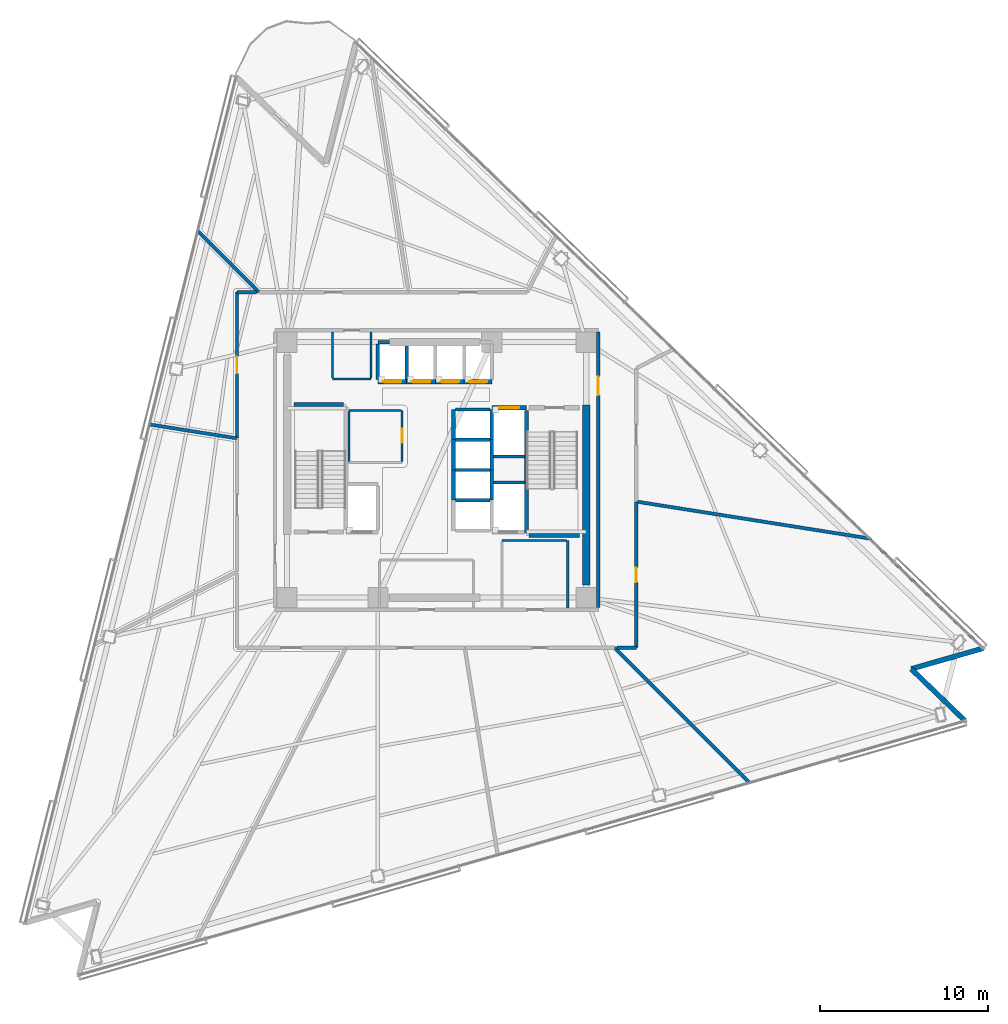
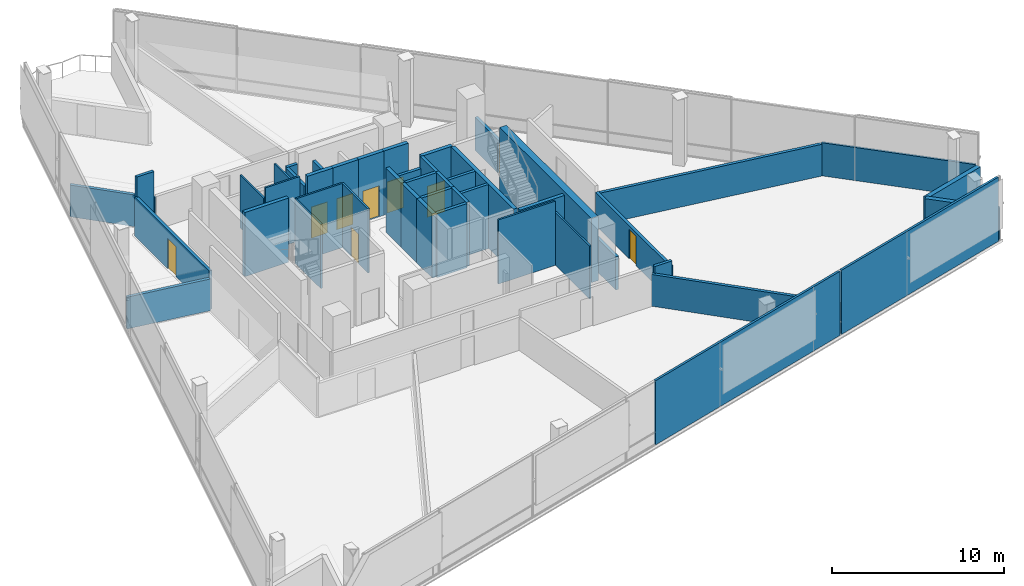
# One storey, part 10 of 18: 46 walls, 9 doors, 9 openings.
"""IFC4 building model written with IfcOpenShell, lengths in metres."""

from ifc_helpers import new_model, si_unit, direction, frame, frame_2d, origin, place, context, subcontext, project, spatial, rectangle, extrude, material, layer, layer_set, type_object, element, fill, save


model = new_model("IFC4")

# Units and contexts
model_context = context("Model", 3, precision=1e-05, world=origin(), true_north=direction((0.0, 1.0)))
body_context = subcontext(model_context, "Body", "Model", "MODEL_VIEW")
ifc_project = project(units=[si_unit("LENGTHUNIT", "METRE"), si_unit("AREAUNIT", "SQUARE_METRE"), si_unit("VOLUMEUNIT", "CUBIC_METRE"), si_unit("PLANEANGLEUNIT", "RADIAN"), si_unit("MASSUNIT", "GRAM", prefix="KILO")], contexts=[model_context])

# Site, building, storey
site_placement = place(None, origin())
site = spatial("IfcSite", under=ifc_project, at=site_placement, CompositionType="ELEMENT")
building_placement = place(site_placement, origin())
building = spatial("IfcBuilding", under=site, at=building_placement, Name="Tharavind Bronze Gate", CompositionType="ELEMENT")
storey_placement = place(building_placement, frame((0.0, 0.0, 107.699951171875)))
storey = spatial("IfcBuildingStorey", under=building, at=storey_placement, Name="L27", CompositionType="ELEMENT", Elevation=107.699951171875)

# Walls
ifc_material_1 = material(Name="Concrete C40/50", Category="concrete")
ifc_layer_1 = layer(ifc_material_1, 0.300048828125)
ifc_layer_set_1 = layer_set([ifc_layer_1], Name="Concrete C40/50")
wall_type_1 = type_object("IfcWallType", Name="EXTERIOR SPANDREL WALL 300", PredefinedType="STANDARD", material=ifc_layer_set_1)
wall_1_placement = place(storey_placement, frame((31.438720703125, -14.926513671875, 0.0), z_axis=(0.0, 0.0, 1.0), x_axis=(-0.719317126864, 0.694681848763, 0.0)))
element("IfcWall", 1, at=wall_1_placement, inside=storey, type_object=wall_type_1, Name="L27 notch cheek wall 3A", PredefinedType="STANDARD", context=body_context, shape_type="SweptSolid", body=[
    extrude(rectangle(XDim=4.439697265625, YDim=0.300048828125, at=frame_2d((2.2197265625, 0.0))), origin(), (0.0, 0.0, 1.0), 2.255126953125),
])
wall_2_placement = place(storey_placement, frame((28.2451171875, -11.84228515625, 0.0), z_axis=(0.0, 0.0, 1.0), x_axis=(0.961255810825, 0.275657878821, 0.0)))
element("IfcWall", 2, at=wall_2_placement, inside=storey, type_object=wall_type_1, Name="L27 notch cheek wall 3B", PredefinedType="STANDARD", context=body_context, shape_type="SweptSolid", body=[
    extrude(rectangle(XDim=4.43994140625, YDim=0.300048828125, at=frame_2d((2.219970703125, 0.0))), origin(), (0.0, 0.0, 1.0), 2.255126953125),
])

# Wall, opening, door
ifc_material_2 = material(Name="Aerated Concrete Block", Category="concrete")
ifc_layer_2 = layer(ifc_material_2, 0.199951171875)
ifc_layer_set_2 = layer_set([ifc_layer_2], Name="Aerated Concrete Block")
wall_type_2 = type_object("IfcWallType", Name="FIRE RATED PARTITION 200", PredefinedType="PARTITIONING", material=ifc_layer_set_2)
wall_3_placement = place(storey_placement, frame((9.6201171875, -8.199951171875, 0.0), z_axis=(0.0, 0.0, 1.0), x_axis=(0.0, 1.0, 0.0)))
wall_3 = element("IfcWall", 3, at=wall_3_placement, inside=storey, type_object=wall_type_2, Name="L27 east core corridor wall", PredefinedType="PARTITIONING", context=body_context, shape_type="SweptSolid", body=[
    extrude(rectangle(XDim=16.39990234375, YDim=0.199951171875, at=frame_2d((8.199951171875, 0.0))), origin(), (0.0, 0.0, 1.0), 2.35498046875),
])
opening_1_placement = place(wall_3_placement, frame((12.64990234375, 0.0, 0.0)))
opening_1 = element("IfcOpeningElement", 4, at=opening_1_placement, cuts=wall_3, Name="Opening ID01", PredefinedType="OPENING", context=body_context, shape_type="SweptSolid", body=[
    extrude(rectangle(XDim=1.10009765625, YDim=2.14990234375, at=frame_2d((0.550048828125, 1.074951171875))), frame((0.0, 0.11009765625, 0.0), z_axis=(0.0, -1.0, 0.0), x_axis=(1.0, 0.0, 0.0)), (0.0, 0.0, 1.0), 0.219951171875),
])
ifc_material_3 = material(Name="Fire-Rated Steel", Category="steel")
door_type_1 = type_object("IfcDoorType", Name="STAIR CORE FIRE DOOR 1100X2150", OperationType="SINGLE_SWING_LEFT", PredefinedType="DOOR", material=ifc_material_3)
door_1_placement = place(opening_1_placement, frame((1.10009765625, 0.0, 0.0), z_axis=(0.0, 0.0, 1.0), x_axis=(-1.0, 0.0, 0.0)))
door_1 = element("IfcDoor", 5, at=door_1_placement, inside=storey, type_object=door_type_1, Name="L27 north east stair lobby fire door", OperationType="SINGLE_SWING_LEFT", OverallHeight=2.14990234375, OverallWidth=1.10009765625, PredefinedType="DOOR", context=body_context, shape_type="SweptSolid", body=[
    extrude(rectangle(XDim=1.10009765625, YDim=2.14990234375, at=frame_2d((0.550048828125, 1.074951171875))), frame((0.0, 0.02490234375, 0.0), z_axis=(0.0, -1.0, 0.0), x_axis=(1.0, 0.0, 0.0)), (0.0, 0.0, 1.0), 0.050048828125),
])
fill(opening_1, door_1)

# Wall
wall_4_placement = place(storey_placement, frame((10.58740234375, -10.58740234375, 0.0), z_axis=(0.0, 0.0, 1.0), x_axis=(0.707106781187, -0.707106781187, 0.0)))
element("IfcWall", 6, at=wall_4_placement, inside=storey, type_object=wall_type_2, Name="L27 Public Restrooms Block partition", PredefinedType="PARTITIONING", context=body_context, shape_type="SweptSolid", body=[
    extrude(rectangle(XDim=11.34033203125, YDim=0.199951171875, at=frame_2d((5.670166015625, 0.0))), origin(), (0.0, 0.0, 1.0), 2.255126953125),
])

# Wall, opening, door
wall_5_placement = place(storey_placement, frame((11.8798828125, -10.579345703125, 0.0), z_axis=(0.0, 0.0, 1.0), x_axis=(0.0, 1.0, 0.0)))
wall_5 = element("IfcWall", 7, at=wall_5_placement, inside=storey, type_object=wall_type_2, Name="L27 Public Restrooms Block partition", PredefinedType="PARTITIONING", context=body_context, shape_type="SweptSolid", body=[
    extrude(rectangle(XDim=8.66845703125, YDim=0.199951171875, at=frame_2d((4.334228515625, 0.0))), origin(), (0.0, 0.0, 1.0), 2.35498046875),
])
opening_2_placement = place(wall_5_placement, frame((3.908935546875, 0.0, 0.0)))
opening_2 = element("IfcOpeningElement", 8, at=opening_2_placement, cuts=wall_5, Name="Opening ID06", PredefinedType="OPENING", context=body_context, shape_type="SweptSolid", body=[
    extrude(rectangle(XDim=0.85009765625, YDim=2.10009765625, at=frame_2d((0.425048828125, 1.050048828125))), frame((0.0, 0.11009765625, 0.0), z_axis=(0.0, -1.0, 0.0), x_axis=(1.0, 0.0, 0.0)), (0.0, 0.0, 1.0), 0.219951171875),
])
ifc_material_4 = material(Name="Moisture-Resistant Timber", Category="wood")
door_type_2 = type_object("IfcDoorType", Name="BATHROOM PRIVACY DOOR 850X2100", OperationType="SINGLE_SWING_RIGHT", PredefinedType="DOOR", material=ifc_material_4)
door_2_placement = place(opening_2_placement, origin())
door_2 = element("IfcDoor", 9, at=door_2_placement, inside=storey, type_object=door_type_2, Name="L27 Public Restrooms Block door", OperationType="SINGLE_SWING_RIGHT", OverallHeight=2.10009765625, OverallWidth=0.85009765625, PredefinedType="DOOR", context=body_context, shape_type="SweptSolid", body=[
    extrude(rectangle(XDim=0.85009765625, YDim=2.10009765625, at=frame_2d((0.425048828125, 1.050048828125))), frame((0.0, 0.02490234375, 0.0), z_axis=(0.0, -1.0, 0.0), x_axis=(1.0, 0.0, 0.0)), (0.0, 0.0, 1.0), 0.050048828125),
])
fill(opening_2, door_2)

# Walls
wall_6_placement = place(storey_placement, frame((11.908935546875, -1.88623046875, 0.0), z_axis=(0.0, 0.0, 1.0), x_axis=(0.987688165626, -0.156435569746, 0.0)))
element("IfcWall", 10, at=wall_6_placement, inside=storey, type_object=wall_type_2, Name="L27 Public Restrooms Block partition", PredefinedType="PARTITIONING", context=body_context, shape_type="SweptSolid", body=[
    extrude(rectangle(XDim=13.994384765625, YDim=0.199951171875, at=frame_2d((6.9970703125, 0.0))), origin(), (0.0, 0.0, 1.0), 2.255126953125),
])
wall_7_placement = place(storey_placement, frame((10.728515625, -10.580078125, 0.0), z_axis=(0.0, 0.0, 1.0), x_axis=(1.0, 0.0, 0.0)))
element("IfcWall", 11, at=wall_7_placement, inside=storey, type_object=wall_type_2, Name="L27 Public Restrooms Block partition", PredefinedType="PARTITIONING", context=body_context, shape_type="SweptSolid", body=[
    extrude(rectangle(XDim=1.15087890625, YDim=0.199951171875, at=frame_2d((0.575439453125, 0.0))), origin(), (0.0, 0.0, 1.0), 2.755126953125),
])
wall_8_placement = place(storey_placement, frame((-10.58740234375, 10.58740234375, 0.0), z_axis=(0.0, 0.0, 1.0), x_axis=(-0.707106781187, 0.707106781187, 0.0)))
element("IfcWall", 12, at=wall_8_placement, inside=storey, type_object=wall_type_2, Name="L27 Quantitative Desk B partition", PredefinedType="PARTITIONING", context=body_context, shape_type="SweptSolid", body=[
    extrude(rectangle(XDim=5.12451171875, YDim=0.199951171875, at=frame_2d((2.562255859375, 0.0))), origin(), (0.0, 0.0, 1.0), 2.255126953125),
])
wall_9_placement = place(storey_placement, frame((-10.728515625, 10.580078125, 0.0), z_axis=(0.0, 0.0, 1.0), x_axis=(-1.0, 0.0, 0.0)))
element("IfcWall", 13, at=wall_9_placement, inside=storey, type_object=wall_type_2, Name="L27 Quantitative Desk C partition", PredefinedType="PARTITIONING", context=body_context, shape_type="SweptSolid", body=[
    extrude(rectangle(XDim=1.15087890625, YDim=0.199951171875, at=frame_2d((0.575439453125, 0.0))), origin(), (0.0, 0.0, 1.0), 4.195068359375),
])

# Wall, opening, door
wall_10_placement = place(storey_placement, frame((-11.8798828125, 10.579345703125, 0.0), z_axis=(0.0, 0.0, 1.0), x_axis=(0.0, -1.0, 0.0)))
wall_10 = element("IfcWall", 14, at=wall_10_placement, inside=storey, type_object=wall_type_2, Name="L27 Quantitative Desk C partition", PredefinedType="PARTITIONING", context=body_context, shape_type="SweptSolid", body=[
    extrude(rectangle(XDim=8.66845703125, YDim=0.199951171875, at=frame_2d((4.334228515625, 0.0))), origin(), (0.0, 0.0, 1.0), 2.755126953125),
])
opening_3_placement = place(wall_10_placement, frame((3.833984375, 0.0, 0.0)))
opening_3 = element("IfcOpeningElement", 15, at=opening_3_placement, cuts=wall_10, Name="Opening ID04", PredefinedType="OPENING", context=body_context, shape_type="SweptSolid", body=[
    extrude(rectangle(XDim=1.0, YDim=2.14990234375, at=frame_2d((0.5, 1.074951171875))), frame((0.0, 0.11009765625, 0.0), z_axis=(0.0, -1.0, 0.0), x_axis=(1.0, 0.0, 0.0)), (0.0, 0.0, 1.0), 0.219951171875),
])
ifc_material_5 = material(Name="Bronze Framed Acoustic Timber", Category="wood")
door_type_3 = type_object("IfcDoorType", Name="OFFICE TENANCY DOOR 1000X2150", OperationType="SINGLE_SWING_RIGHT", PredefinedType="DOOR", material=ifc_material_5)
door_3_placement = place(opening_3_placement, origin())
door_3 = element("IfcDoor", 16, at=door_3_placement, inside=storey, type_object=door_type_3, Name="L27 Quantitative Desk C door", OperationType="SINGLE_SWING_RIGHT", OverallHeight=2.14990234375, OverallWidth=1.0, PredefinedType="DOOR", context=body_context, shape_type="SweptSolid", body=[
    extrude(rectangle(XDim=1.0, YDim=2.14990234375, at=frame_2d((0.5, 1.074951171875))), frame((0.0, 0.02490234375, 0.0), z_axis=(0.0, -1.0, 0.0), x_axis=(1.0, 0.0, 0.0)), (0.0, 0.0, 1.0), 0.050048828125),
])
fill(opening_3, door_3)

# Wall
wall_11_placement = place(storey_placement, frame((-11.908935546875, 1.88623046875, 0.0), z_axis=(0.0, 0.0, 1.0), x_axis=(-0.987686625079, 0.156445295998, 0.0)))
element("IfcWall", 17, at=wall_11_placement, inside=storey, type_object=wall_type_2, Name="L27 Quantitative Desk C partition", PredefinedType="PARTITIONING", context=body_context, shape_type="SweptSolid", body=[
    extrude(rectangle(XDim=5.219970703125, YDim=0.199951171875, at=frame_2d((2.60986328125, 0.0))), origin(), (0.0, 0.0, 1.0), 2.255126953125),
])

# Wall, opening, door
ifc_material_6 = material(Name="Metal Stud Gypsum Partition", Category="gypsum")
ifc_layer_3 = layer(ifc_material_6, 0.1201171875)
ifc_layer_set_3 = layer_set([ifc_layer_3], Name="Metal Stud Gypsum Partition")
wall_type_3 = type_object("IfcWallType", Name="INTERIOR PARTITION WALL 120", PredefinedType="PARTITIONING", material=ifc_layer_set_3)
wall_12_placement = place(storey_placement, frame((-2.050048828125, 0.514892578125, 0.0), z_axis=(0.0, 0.0, 1.0), x_axis=(0.0, 1.0, 0.0)))
wall_12 = element("IfcWall", 18, at=wall_12_placement, inside=storey, type_object=wall_type_3, Name="L27 Electrical & Telecom Store partition 2", PredefinedType="PARTITIONING", context=body_context, shape_type="SweptSolid", body=[
    extrude(rectangle(XDim=3.03515625, YDim=0.1201171875, at=frame_2d((1.517578125, 0.0))), origin(), (0.0, 0.0, 1.0), 4.56005859375),
])
opening_4_placement = place(wall_12_placement, frame((1.092041015625, 0.0, 0.0)))
opening_4 = element("IfcOpeningElement", 19, at=opening_4_placement, cuts=wall_12, Name="Opening ID06", PredefinedType="OPENING", context=body_context, shape_type="SweptSolid", body=[
    extrude(rectangle(XDim=0.85009765625, YDim=2.10009765625, at=frame_2d((0.425048828125, 1.050048828125))), frame((0.0, 0.07005859375, 0.0), z_axis=(0.0, -1.0, 0.0), x_axis=(1.0, 0.0, 0.0)), (0.0, 0.0, 1.0), 0.1401171875),
])
door_4_placement = place(opening_4_placement, frame((0.85009765625, 0.0, 0.0), z_axis=(0.0, 0.0, 1.0), x_axis=(-1.0, 0.0, 0.0)))
door_4 = element("IfcDoor", 20, at=door_4_placement, inside=storey, type_object=door_type_2, Name="L27 Electrical & Telecom Store door", OperationType="SINGLE_SWING_RIGHT", OverallHeight=2.10009765625, OverallWidth=0.85009765625, PredefinedType="DOOR", context=body_context, shape_type="SweptSolid", body=[
    extrude(rectangle(XDim=0.85009765625, YDim=2.10009765625, at=frame_2d((0.425048828125, 1.050048828125))), frame((0.0, 0.02490234375, 0.0), z_axis=(0.0, -1.0, 0.0), x_axis=(1.0, 0.0, 0.0)), (0.0, 0.0, 1.0), 0.050048828125),
])
fill(opening_4, door_4)

# Walls
wall_13_placement = place(storey_placement, frame((-2.114990234375, 3.550048828125, 0.0), z_axis=(0.0, 0.0, 1.0), x_axis=(-1.0, 0.0, 0.0)))
element("IfcWall", 21, at=wall_13_placement, inside=storey, type_object=wall_type_3, Name="L27 Electrical & Telecom Store partition 3", PredefinedType="PARTITIONING", context=body_context, shape_type="SweptSolid", body=[
    extrude(rectangle(XDim=3.10498046875, YDim=0.1201171875, at=frame_2d((1.552490234375, 0.0))), origin(), (0.0, 0.0, 1.0), 4.56005859375),
])
wall_14_placement = place(storey_placement, frame((-5.219970703125, 3.485107421875, 0.0), z_axis=(0.0, 0.0, 1.0), x_axis=(0.0, -1.0, 0.0)))
element("IfcWall", 22, at=wall_14_placement, inside=storey, type_object=wall_type_3, Name="L27 Electrical & Telecom Store partition 4", PredefinedType="PARTITIONING", context=body_context, shape_type="SweptSolid", body=[
    extrude(rectangle(XDim=2.97021484375, YDim=0.1201171875, at=frame_2d((1.485107421875, 0.0))), origin(), (0.0, 0.0, 1.0), 4.56005859375),
])
wall_15_placement = place(storey_placement, frame((-6.199951171875, 5.39990234375, 0.0), z_axis=(0.0, 0.0, 1.0), x_axis=(1.0, 0.0, 0.0)))
element("IfcWall", 23, at=wall_15_placement, inside=storey, type_object=wall_type_3, Name="L27 Electrical Switch Cupboard partition 1", PredefinedType="PARTITIONING", context=body_context, shape_type="SweptSolid", body=[
    extrude(rectangle(XDim=2.300048828125, YDim=0.1201171875, at=frame_2d((1.14990234375, 0.0))), origin(), (0.0, 0.0, 1.0), 4.56005859375),
])
for number, where, z_axis, x_axis, name in (
    (24, (-3.89990234375, 5.465087890625, 0.0), (0.0, 0.0, 1.0), (0.0, 1.0, 0.0), "L27 Electrical Switch Cupboard partition 2"),
    (25, (-6.199951171875, 8.215087890625, 0.0), (0.0, 0.0, 1.0), (0.0, -1.0, 0.0), "L27 Electrical Switch Cupboard partition 4"),
):
    element("IfcWall", number, at=place(storey_placement, frame(where, z_axis=z_axis, x_axis=x_axis)), inside=storey, type_object=wall_type_3, Name=name, PredefinedType="PARTITIONING", context=body_context, shape_type="SweptSolid", body=[
        extrude(rectangle(XDim=2.75, YDim=0.1201171875, at=frame_2d((1.375, 0.0))), origin(), (0.0, 0.0, 1.0), 3.755126953125),
    ])
wall_16_placement = place(storey_placement, frame((7.800048828125, -8.215087890625, 0.0), z_axis=(0.0, 0.0, 1.0), x_axis=(0.0, 1.0, 0.0)))
element("IfcWall", 26, at=wall_16_placement, inside=storey, type_object=wall_type_3, Name="L27 Telecom Metering Room partition 2", PredefinedType="PARTITIONING", context=body_context, shape_type="SweptSolid", body=[
    extrude(rectangle(XDim=4.01513671875, YDim=0.1201171875, at=frame_2d((2.007568359375, 0.0))), origin(), (0.0, 0.0, 1.0), 3.755126953125),
])
wall_17_placement = place(storey_placement, frame((7.735107421875, -4.199951171875, 0.0), z_axis=(0.0, 0.0, 1.0), x_axis=(-1.0, 0.0, 0.0)))
element("IfcWall", 27, at=wall_17_placement, inside=storey, type_object=wall_type_3, Name="L27 Telecom Metering Room partition 3", PredefinedType="PARTITIONING", context=body_context, shape_type="SweptSolid", body=[
    extrude(rectangle(XDim=3.835205078125, YDim=0.1201171875, at=frame_2d((1.91748046875, 0.0))), origin(), (0.0, 0.0, 1.0), 4.56005859375),
])
ifc_material_7 = material(Name="Twin Stud Acoustic Gypsum", Category="gypsum")
ifc_layer_4 = layer(ifc_material_7, 0.14990234375)
ifc_layer_set_4 = layer_set([ifc_layer_4], Name="Twin Stud Acoustic Gypsum")
wall_type_4 = type_object("IfcWallType", Name="INTERIOR PARTITION WALL 150", PredefinedType="PARTITIONING", material=ifc_layer_set_4)
wall_18_placement = place(storey_placement, frame((18.49072265625, -18.639404296875, 0.0), z_axis=(0.0, 0.0, 1.0), x_axis=(-0.961263863121, -0.275629797842, 0.0)))
element("IfcWall", 28, at=wall_18_placement, inside=storey, type_object=wall_type_4, Name="L27 Public Restrooms Block partition", PredefinedType="PARTITIONING", context=body_context, shape_type="SweptSolid", body=[
    extrude(rectangle(XDim=15.434326171875, YDim=0.14990234375, at=frame_2d((7.71728515625, 0.0))), origin(), (0.0, 0.0, 1.0), 4.56005859375),
])
wall_19_placement = place(storey_placement, frame((25.744384765625, -4.08203125, 0.0), z_axis=(0.0, 0.0, 1.0), x_axis=(0.719337654084, -0.694660592964, 0.0)))
element("IfcWall", 29, at=wall_19_placement, inside=storey, type_object=wall_type_4, Name="L27 Public Restrooms Block partition", PredefinedType="PARTITIONING", context=body_context, shape_type="SweptSolid", body=[
    extrude(rectangle(XDim=9.23046875, YDim=0.14990234375, at=frame_2d((4.615234375, 0.0))), origin(), (0.0, 0.0, 1.0), 2.35498046875),
])
wall_20_placement = place(storey_placement, frame((31.2666015625, -14.975830078125, 0.0), z_axis=(0.0, 0.0, 1.0), x_axis=(-0.961262306809, -0.275635225449, 0.0)))
element("IfcWall", 30, at=wall_20_placement, inside=storey, type_object=wall_type_4, Name="L27 Public Restrooms Block partition", PredefinedType="PARTITIONING", context=body_context, shape_type="SweptSolid", body=[
    extrude(rectangle(XDim=13.15576171875, YDim=0.14990234375, at=frame_2d((6.577880859375, 0.0))), origin(), (0.0, 0.0, 1.0), 4.56005859375),
])
ifc_material_8 = material(Name="Concrete C50/60", Category="concrete")
ifc_layer_5 = layer(ifc_material_8, 0.25)
ifc_layer_set_5 = layer_set([ifc_layer_5], Name="Concrete C50/60")
wall_type_5 = type_object("IfcWallType", Name="RC CORE SHEAR WALL 250", PredefinedType="SHEAR", material=ifc_layer_set_5)
wall_21_placement = place(storey_placement, frame((-8.5, 3.89990234375, 0.0), z_axis=(0.0, 0.0, 1.0), x_axis=(1.0, 0.0, 0.0)))
element("IfcWall", 31, at=wall_21_placement, inside=storey, type_object=wall_type_5, Name="L27 ST1 shaft north wall", PredefinedType="SHEAR", context=body_context, shape_type="SweptSolid", body=[
    extrude(rectangle(XDim=2.949951171875, YDim=0.25, at=frame_2d((1.47509765625, 0.0))), origin(), (0.0, 0.0, 1.0), 4.56005859375),
])
wall_22_placement = place(storey_placement, frame((5.35009765625, -3.75, 0.0), z_axis=(0.0, 0.0, 1.0), x_axis=(0.0, 1.0, 0.0)))
element("IfcWall", 32, at=wall_22_placement, inside=storey, type_object=wall_type_5, Name="L27 ST2 shaft west wall", PredefinedType="SHEAR", context=body_context, shape_type="SweptSolid", body=[
    extrude(rectangle(XDim=7.300048828125, YDim=0.25, at=frame_2d((3.64990234375, 0.0))), origin(), (0.0, 0.0, 1.0), 4.56005859375),
])
wall_23_placement = place(storey_placement, frame((5.5, -3.89990234375, 0.0), z_axis=(0.0, 0.0, 1.0), x_axis=(1.0, 0.0, 0.0)))
element("IfcWall", 33, at=wall_23_placement, inside=storey, type_object=wall_type_5, Name="L27 ST2 shaft south wall", PredefinedType="SHEAR", context=body_context, shape_type="SweptSolid", body=[
    extrude(rectangle(XDim=3.0, YDim=0.25, at=frame_2d((1.5, 0.0))), origin(), (0.0, 0.0, 1.0), 4.56005859375),
])

# Wall, opening, door
wall_24_placement = place(storey_placement, frame((-3.5, 5.25, 0.0), z_axis=(0.0, 0.0, 1.0), x_axis=(1.0, 0.0, 0.0)))
wall_24 = element("IfcWall", 34, at=wall_24_placement, inside=storey, type_object=wall_type_5, Name="L27 lift PL5 shaft front wall", PredefinedType="SHEAR", context=body_context, shape_type="SweptSolid", body=[
    extrude(rectangle(XDim=1.71240234375, YDim=0.25, at=frame_2d((0.856201171875, 0.0))), origin(), (0.0, 0.0, 1.0), 4.56005859375),
])
opening_5_placement = place(wall_24_placement, frame((0.305908203125, 0.0, 0.0)))
opening_5 = element("IfcOpeningElement", 35, at=opening_5_placement, cuts=wall_24, Name="Opening LD01", PredefinedType="OPENING", context=body_context, shape_type="SweptSolid", body=[
    extrude(rectangle(XDim=1.10009765625, YDim=2.199951171875, at=frame_2d((0.550048828125, 1.10009765625))), frame((0.0, 0.135, 0.0), z_axis=(0.0, -1.0, 0.0), x_axis=(1.0, 0.0, 0.0)), (0.0, 0.0, 1.0), 0.27),
])
ifc_material_9 = material(Name="Brushed Bronze Stainless Steel", Category="steel")
door_type_4 = type_object("IfcDoorType", Name="LIFT LANDING SLIDING DOOR 1100X2200", OperationType="SLIDING_TO_LEFT", PredefinedType="DOOR", material=ifc_material_9)
door_5_placement = place(opening_5_placement, origin())
door_5 = element("IfcDoor", 36, at=door_5_placement, inside=storey, type_object=door_type_4, Name="L27 lift PL5 sliding landing door", OperationType="SLIDING_TO_LEFT", OverallHeight=2.199951171875, OverallWidth=1.10009765625, PredefinedType="DOOR", context=body_context, shape_type="SweptSolid", body=[
    extrude(rectangle(XDim=1.10009765625, YDim=2.199951171875, at=frame_2d((0.550048828125, 1.10009765625))), frame((0.0, 0.02490234375, 0.0), z_axis=(0.0, -1.0, 0.0), x_axis=(1.0, 0.0, 0.0)), (0.0, 0.0, 1.0), 0.050048828125),
])
fill(opening_5, door_5)

wall_25_placement = place(storey_placement, frame((-1.78759765625, 5.25, 0.0), z_axis=(0.0, 0.0, 1.0), x_axis=(1.0, 0.0, 0.0)))
wall_25 = element("IfcWall", 37, at=wall_25_placement, inside=storey, type_object=wall_type_5, Name="L27 lift PL6 shaft front wall", PredefinedType="SHEAR", context=body_context, shape_type="SweptSolid", body=[
    extrude(rectangle(XDim=1.712646484375, YDim=0.25, at=frame_2d((0.8564453125, 0.0))), origin(), (0.0, 0.0, 1.0), 4.56005859375),
])
opening_6_placement = place(wall_25_placement, frame((0.305908203125, 0.0, 0.0)))
opening_6 = element("IfcOpeningElement", 38, at=opening_6_placement, cuts=wall_25, Name="Opening LD01", PredefinedType="OPENING", context=body_context, shape_type="SweptSolid", body=[
    extrude(rectangle(XDim=1.10009765625, YDim=2.199951171875, at=frame_2d((0.550048828125, 1.10009765625))), frame((0.0, 0.135, 0.0), z_axis=(0.0, -1.0, 0.0), x_axis=(1.0, 0.0, 0.0)), (0.0, 0.0, 1.0), 0.27),
])
door_6_placement = place(opening_6_placement, origin())
door_6 = element("IfcDoor", 39, at=door_6_placement, inside=storey, type_object=door_type_4, Name="L27 lift PL6 sliding landing door", OperationType="SLIDING_TO_LEFT", OverallHeight=2.199951171875, OverallWidth=1.10009765625, PredefinedType="DOOR", context=body_context, shape_type="SweptSolid", body=[
    extrude(rectangle(XDim=1.10009765625, YDim=2.199951171875, at=frame_2d((0.550048828125, 1.10009765625))), frame((0.0, 0.02490234375, 0.0), z_axis=(0.0, -1.0, 0.0), x_axis=(1.0, 0.0, 0.0)), (0.0, 0.0, 1.0), 0.050048828125),
])
fill(opening_6, door_6)

wall_26_placement = place(storey_placement, frame((-0.074951171875, 5.25, 0.0), z_axis=(0.0, 0.0, 1.0), x_axis=(1.0, 0.0, 0.0)))
wall_26 = element("IfcWall", 40, at=wall_26_placement, inside=storey, type_object=wall_type_5, Name="L27 lift PL7 shaft front wall", PredefinedType="SHEAR", context=body_context, shape_type="SweptSolid", body=[
    extrude(rectangle(XDim=1.71240234375, YDim=0.25, at=frame_2d((0.856201171875, 0.0))), origin(), (0.0, 0.0, 1.0), 4.56005859375),
])
opening_7_placement = place(wall_26_placement, frame((0.305908203125, 0.0, 0.0)))
opening_7 = element("IfcOpeningElement", 41, at=opening_7_placement, cuts=wall_26, Name="Opening LD01", PredefinedType="OPENING", context=body_context, shape_type="SweptSolid", body=[
    extrude(rectangle(XDim=1.10009765625, YDim=2.199951171875, at=frame_2d((0.550048828125, 1.10009765625))), frame((0.0, 0.135, 0.0), z_axis=(0.0, -1.0, 0.0), x_axis=(1.0, 0.0, 0.0)), (0.0, 0.0, 1.0), 0.27),
])
door_7_placement = place(opening_7_placement, origin())
door_7 = element("IfcDoor", 42, at=door_7_placement, inside=storey, type_object=door_type_4, Name="L27 lift PL7 sliding landing door", OperationType="SLIDING_TO_LEFT", OverallHeight=2.199951171875, OverallWidth=1.10009765625, PredefinedType="DOOR", context=body_context, shape_type="SweptSolid", body=[
    extrude(rectangle(XDim=1.10009765625, YDim=2.199951171875, at=frame_2d((0.550048828125, 1.10009765625))), frame((0.0, 0.02490234375, 0.0), z_axis=(0.0, -1.0, 0.0), x_axis=(1.0, 0.0, 0.0)), (0.0, 0.0, 1.0), 0.050048828125),
])
fill(opening_7, door_7)

wall_27_placement = place(storey_placement, frame((1.637451171875, 5.25, 0.0), z_axis=(0.0, 0.0, 1.0), x_axis=(1.0, 0.0, 0.0)))
wall_27 = element("IfcWall", 43, at=wall_27_placement, inside=storey, type_object=wall_type_5, Name="L27 lift PL8 shaft front wall", PredefinedType="SHEAR", context=body_context, shape_type="SweptSolid", body=[
    extrude(rectangle(XDim=1.642578125, YDim=0.25, at=frame_2d((0.8212890625, 0.0))), origin(), (0.0, 0.0, 1.0), 4.56005859375),
])
opening_8_placement = place(wall_27_placement, frame((0.27099609375, 0.0, 0.0)))
opening_8 = element("IfcOpeningElement", 44, at=opening_8_placement, cuts=wall_27, Name="Opening LD01", PredefinedType="OPENING", context=body_context, shape_type="SweptSolid", body=[
    extrude(rectangle(XDim=1.10009765625, YDim=2.199951171875, at=frame_2d((0.550048828125, 1.10009765625))), frame((0.0, 0.135, 0.0), z_axis=(0.0, -1.0, 0.0), x_axis=(1.0, 0.0, 0.0)), (0.0, 0.0, 1.0), 0.27),
])
door_8_placement = place(opening_8_placement, origin())
door_8 = element("IfcDoor", 45, at=door_8_placement, inside=storey, type_object=door_type_4, Name="L27 lift PL8 sliding landing door", OperationType="SLIDING_TO_LEFT", OverallHeight=2.199951171875, OverallWidth=1.10009765625, PredefinedType="DOOR", context=body_context, shape_type="SweptSolid", body=[
    extrude(rectangle(XDim=1.10009765625, YDim=2.199951171875, at=frame_2d((0.550048828125, 1.10009765625))), frame((0.0, 0.02490234375, 0.0), z_axis=(0.0, -1.0, 0.0), x_axis=(1.0, 0.0, 0.0)), (0.0, 0.0, 1.0), 0.050048828125),
])
fill(opening_8, door_8)

# Walls
for number, where, z_axis, x_axis, name in (
    (46, (1.0, -1.800048828125, 0.0), (0.0, 0.0, 1.0), (0.0, 1.0, 0.0), "L27 lift PL10 shaft front wall"),
    (47, (1.0, 0.0, 0.0), (0.0, 0.0, 1.0), (0.0, 1.0, 0.0), "L27 lift PL11 shaft front wall"),
    (48, (1.0, 1.800048828125, 0.0), (0.0, 0.0, 1.0), (0.0, 1.0, 0.0), "L27 lift PL12 shaft front wall"),
):
    element("IfcWall", number, at=place(storey_placement, frame(where, z_axis=z_axis, x_axis=x_axis)), inside=storey, type_object=wall_type_5, Name=name, PredefinedType="SHEAR", context=body_context, shape_type="SweptSolid", body=[
        extrude(rectangle(XDim=1.800048828125, YDim=0.25, at=frame_2d((0.89990234375, 0.0))), origin(), (0.0, 0.0, 1.0), 4.56005859375),
    ])

# Wall, opening, door
wall_28_placement = place(storey_placement, frame((3.280029296875, 3.699951171875, 0.0), z_axis=(0.0, 0.0, 1.0), x_axis=(1.0, 0.0, 0.0)))
wall_28 = element("IfcWall", 49, at=wall_28_placement, inside=storey, type_object=wall_type_5, Name="L27 lift FFL2 shaft front wall", PredefinedType="SHEAR", context=body_context, shape_type="SweptSolid", body=[
    extrude(rectangle(XDim=2.070068359375, YDim=0.25, at=frame_2d((1.03515625, 0.0))), origin(), (0.0, 0.0, 1.0), 4.56005859375),
])
opening_9_placement = place(wall_28_placement, frame((0.43505859375, 0.0, 0.0)))
opening_9 = element("IfcOpeningElement", 50, at=opening_9_placement, cuts=wall_28, Name="Opening LD02", PredefinedType="OPENING", context=body_context, shape_type="SweptSolid", body=[
    extrude(rectangle(XDim=1.199951171875, YDim=2.199951171875, at=frame_2d((0.60009765625, 1.10009765625))), frame((0.0, 0.135, 0.0), z_axis=(0.0, -1.0, 0.0), x_axis=(1.0, 0.0, 0.0)), (0.0, 0.0, 1.0), 0.27),
])
ifc_material_10 = material(Name="Brushed Stainless Steel", Category="steel")
door_type_5 = type_object("IfcDoorType", Name="FIREFIGHTING LIFT LANDING DOOR 1200X2200", OperationType="SLIDING_TO_RIGHT", PredefinedType="DOOR", material=ifc_material_10)
door_9_placement = place(opening_9_placement, origin())
door_9 = element("IfcDoor", 51, at=door_9_placement, inside=storey, type_object=door_type_5, Name="L27 lift FFL2 sliding landing door", OperationType="SLIDING_TO_RIGHT", OverallHeight=2.199951171875, OverallWidth=1.199951171875, PredefinedType="DOOR", context=body_context, shape_type="SweptSolid", body=[
    extrude(rectangle(XDim=1.199951171875, YDim=2.199951171875, at=frame_2d((0.60009765625, 1.10009765625))), frame((0.0, 0.02490234375, 0.0), z_axis=(0.0, -1.0, 0.0), x_axis=(1.0, 0.0, 0.0)), (0.0, 0.0, 1.0), 0.050048828125),
])
fill(opening_9, door_9)

# Walls
ifc_material_11 = material(Name="Concrete C60/75", Category="concrete")
ifc_layer_6 = layer(ifc_material_11, 0.449951171875)
ifc_layer_set_6 = layer_set([ifc_layer_6], Name="Concrete C60/75")
wall_type_6 = type_object("IfcWallType", Name="RC CORE SHEAR WALL 450", PredefinedType="SHEAR", material=ifc_layer_set_6)
wall_29_placement = place(storey_placement, frame((8.89990234375, -6.85009765625, 0.0), z_axis=(0.0, 0.0, 1.0), x_axis=(0.0, 1.0, 0.0)))
element("IfcWall", 52, at=wall_29_placement, inside=storey, type_object=wall_type_6, Name="L27 east core shear wall", PredefinedType="SHEAR", context=body_context, shape_type="SweptSolid", body=[
    extrude(rectangle(XDim=10.7001953125, YDim=0.449951171875, at=frame_2d((5.35009765625, 0.0))), origin(), (0.0, 0.0, 1.0), 4.56005859375),
])
ifc_layer_7 = layer(ifc_material_1, 0.199951171875)
ifc_layer_set_7 = layer_set([ifc_layer_7], Name="Concrete C40/50")
wall_type_7 = type_object("IfcWallType", Name="SHAFT ENCLOSURE WALL 200", PredefinedType="PARTITIONING", material=ifc_layer_set_7)
wall_30_placement = place(storey_placement, frame((-3.5, 7.60009765625, 0.0), z_axis=(0.0, 0.0, 1.0), x_axis=(1.0, 0.0, 0.0)))
element("IfcWall", 53, at=wall_30_placement, inside=storey, type_object=wall_type_7, Name="L27 lift PL5 shaft N enclosure wall", PredefinedType="PARTITIONING", context=body_context, shape_type="SweptSolid", body=[
    extrude(rectangle(XDim=0.699951171875, YDim=0.199951171875, at=frame_2d((0.35009765625, 0.0))), origin(), (0.0, 0.0, 1.0), 3.755126953125),
])
wall_31_placement = place(storey_placement, frame((-3.5, 5.3798828125, 0.0), z_axis=(0.0, 0.0, 1.0), x_axis=(0.0, 1.0, 0.0)))
element("IfcWall", 54, at=wall_31_placement, inside=storey, type_object=wall_type_7, Name="L27 lift PL5 shaft W enclosure wall", PredefinedType="PARTITIONING", context=body_context, shape_type="SweptSolid", body=[
    extrude(rectangle(XDim=2.115234375, YDim=0.199951171875, at=frame_2d((1.0576171875, 0.0))), origin(), (0.0, 0.0, 1.0), 3.755126953125),
])
wall_32_placement = place(storey_placement, frame((-1.78759765625, 5.3798828125, 0.0), z_axis=(0.0, 0.0, 1.0), x_axis=(0.0, 1.0, 0.0)))
element("IfcWall", 55, at=wall_32_placement, inside=storey, type_object=wall_type_7, Name="L27 lift PL5 shaft E enclosure wall", PredefinedType="PARTITIONING", context=body_context, shape_type="SweptSolid", body=[
    extrude(rectangle(XDim=1.990234375, YDim=0.199951171875, at=frame_2d((0.9951171875, 0.0))), origin(), (0.0, 0.0, 1.0), 3.755126953125),
])
wall_33_placement = place(storey_placement, frame((1.1298828125, -1.800048828125, 0.0), z_axis=(0.0, 0.0, 1.0), x_axis=(1.0, 0.0, 0.0)))
element("IfcWall", 56, at=wall_33_placement, inside=storey, type_object=wall_type_7, Name="L27 lift PL9 shaft N enclosure wall", PredefinedType="PARTITIONING", context=body_context, shape_type="SweptSolid", body=[
    extrude(rectangle(XDim=2.045166015625, YDim=0.199951171875, at=frame_2d((1.0224609375, 0.0))), origin(), (0.0, 0.0, 1.0), 4.56005859375),
])
wall_34_placement = place(storey_placement, frame((3.280029296875, -1.800048828125, 0.0), z_axis=(0.0, 0.0, 1.0), x_axis=(0.0, 1.0, 0.0)))
element("IfcWall", 57, at=wall_34_placement, inside=storey, type_object=wall_type_7, Name="L27 lift PL10 shaft E enclosure wall", PredefinedType="PARTITIONING", context=body_context, shape_type="SweptSolid", body=[
    extrude(rectangle(XDim=1.800048828125, YDim=0.199951171875, at=frame_2d((0.89990234375, 0.0))), origin(), (0.0, 0.0, 1.0), 4.56005859375),
])
wall_35_placement = place(storey_placement, frame((1.1298828125, 0.0, 0.0), z_axis=(0.0, 0.0, 1.0), x_axis=(1.0, 0.0, 0.0)))
element("IfcWall", 58, at=wall_35_placement, inside=storey, type_object=wall_type_7, Name="L27 lift PL10 shaft N enclosure wall", PredefinedType="PARTITIONING", context=body_context, shape_type="SweptSolid", body=[
    extrude(rectangle(XDim=2.045166015625, YDim=0.199951171875, at=frame_2d((1.0224609375, 0.0))), origin(), (0.0, 0.0, 1.0), 4.56005859375),
])
wall_36_placement = place(storey_placement, frame((3.280029296875, 0.0, 0.0), z_axis=(0.0, 0.0, 1.0), x_axis=(0.0, 1.0, 0.0)))
element("IfcWall", 59, at=wall_36_placement, inside=storey, type_object=wall_type_7, Name="L27 lift PL11 shaft E enclosure wall", PredefinedType="PARTITIONING", context=body_context, shape_type="SweptSolid", body=[
    extrude(rectangle(XDim=1.800048828125, YDim=0.199951171875, at=frame_2d((0.89990234375, 0.0))), origin(), (0.0, 0.0, 1.0), 4.56005859375),
])
wall_37_placement = place(storey_placement, frame((1.1298828125, 1.800048828125, 0.0), z_axis=(0.0, 0.0, 1.0), x_axis=(1.0, 0.0, 0.0)))
element("IfcWall", 60, at=wall_37_placement, inside=storey, type_object=wall_type_7, Name="L27 lift PL11 shaft N enclosure wall", PredefinedType="PARTITIONING", context=body_context, shape_type="SweptSolid", body=[
    extrude(rectangle(XDim=2.045166015625, YDim=0.199951171875, at=frame_2d((1.0224609375, 0.0))), origin(), (0.0, 0.0, 1.0), 4.56005859375),
])
wall_38_placement = place(storey_placement, frame((3.280029296875, 1.800048828125, 0.0), z_axis=(0.0, 0.0, 1.0), x_axis=(0.0, 1.0, 0.0)))
element("IfcWall", 61, at=wall_38_placement, inside=storey, type_object=wall_type_7, Name="L27 lift PL12 shaft E enclosure wall", PredefinedType="PARTITIONING", context=body_context, shape_type="SweptSolid", body=[
    extrude(rectangle(XDim=1.800048828125, YDim=0.199951171875, at=frame_2d((0.89990234375, 0.0))), origin(), (0.0, 0.0, 1.0), 4.56005859375),
])
wall_39_placement = place(storey_placement, frame((1.1298828125, 3.60009765625, 0.0), z_axis=(0.0, 0.0, 1.0), x_axis=(1.0, 0.0, 0.0)))
element("IfcWall", 62, at=wall_39_placement, inside=storey, type_object=wall_type_7, Name="L27 lift PL12 shaft N enclosure wall", PredefinedType="PARTITIONING", context=body_context, shape_type="SweptSolid", body=[
    extrude(rectangle(XDim=2.045166015625, YDim=0.199951171875, at=frame_2d((1.0224609375, 0.0))), origin(), (0.0, 0.0, 1.0), 3.755126953125),
])
for number, where, z_axis, x_axis, name in (
    (63, (3.385009765625, 0.800048828125, 0.0), (0.0, 0.0, 1.0), (1.0, 0.0, 0.0), "L27 lift FFL2 shaft S enclosure wall"),
    (64, (3.385009765625, -0.75, 0.0), (0.0, 0.0, 1.0), (1.0, 0.0, 0.0), "L27 lift SVL1 shaft N enclosure wall"),
):
    element("IfcWall", number, at=place(storey_placement, frame(where, z_axis=z_axis, x_axis=x_axis)), inside=storey, type_object=wall_type_7, Name=name, PredefinedType="PARTITIONING", context=body_context, shape_type="SweptSolid", body=[
        extrude(rectangle(XDim=1.8349609375, YDim=0.199951171875, at=frame_2d((0.91748046875, 0.0))), origin(), (0.0, 0.0, 1.0), 4.56005859375),
    ])

save(model, "model.ifc")
